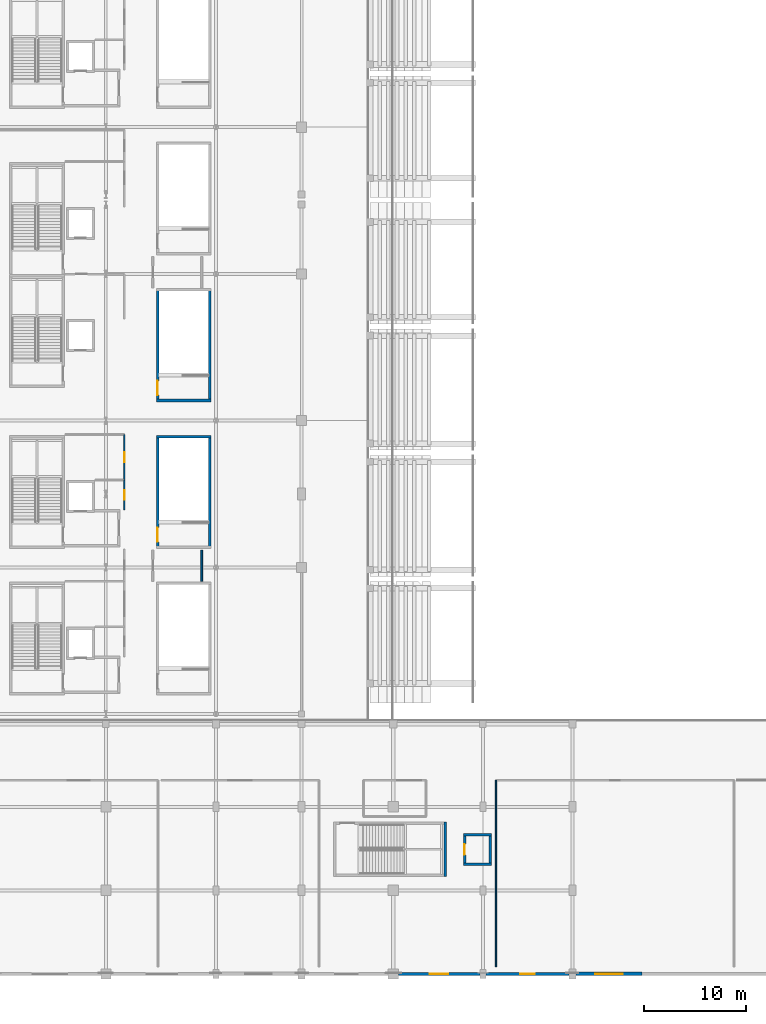
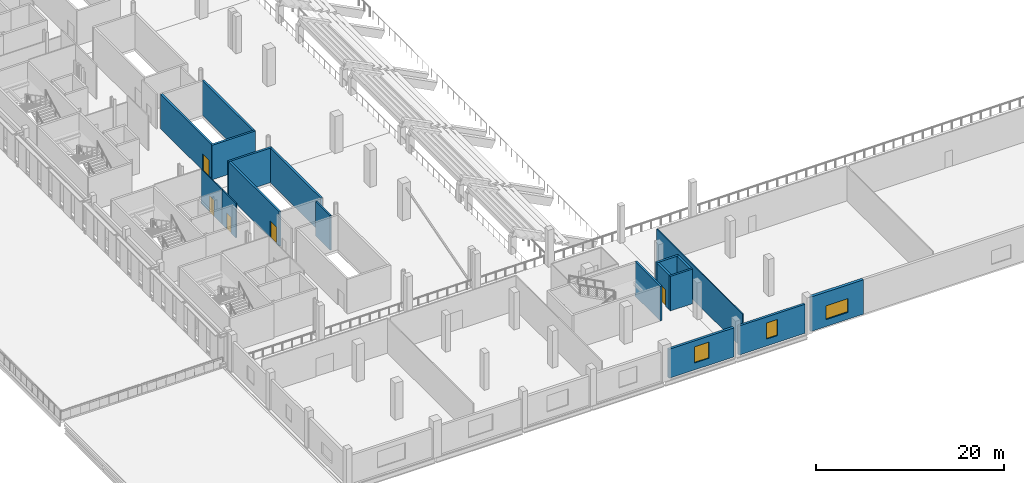
# One storey, part 30 of 74: 18 walls, 5 doors, 3 windows, 8 openings.
"""IFC4 building model written with IfcOpenShell, lengths in metres."""

from ifc_helpers import new_model, si_unit, direction, frame, frame_2d, origin, place, context, subcontext, project, spatial, rectangle, extrude, material, layer, layer_set, type_object, element, fill, save


model = new_model("IFC4")

# Units and contexts
model_context = context("Model", 3, precision=1e-05, world=origin(), true_north=direction((0.0, 1.0)))
body_context = subcontext(model_context, "Body", "Model", "MODEL_VIEW")
ifc_project = project(units=[si_unit("LENGTHUNIT", "METRE"), si_unit("AREAUNIT", "SQUARE_METRE"), si_unit("VOLUMEUNIT", "CUBIC_METRE"), si_unit("PLANEANGLEUNIT", "RADIAN"), si_unit("MASSUNIT", "GRAM", prefix="KILO")], contexts=[model_context])

# Site, building, storey
site_placement = place(None, origin())
site = spatial("IfcSite", under=ifc_project, at=site_placement, CompositionType="ELEMENT")
building_placement = place(site_placement, origin())
building = spatial("IfcBuilding", under=site, at=building_placement, Name="Koshinbarg Plaza Stadium", CompositionType="ELEMENT")
storey_placement = place(building_placement, frame((0.0, 0.0, 15.0)))
storey = spatial("IfcBuildingStorey", under=building, at=storey_placement, Name="L03", CompositionType="ELEMENT", Elevation=15.0)

# Walls
ifc_material_1 = material(Name="Concrete C40/50", Category="concrete")
ifc_layer_1 = layer(ifc_material_1, 0.25)
ifc_layer_set_1 = layer_set([ifc_layer_1], Name="Concrete C40/50")
wall_type_1 = type_object("IfcWallType", Name="WL-CORE-250", PredefinedType="SHEAR", material=ifc_layer_set_1)
for number, where, z_axis, x_axis, name in (
    (1, (68.72509765625, 9.550048828125, 0.0), (0.0, 0.0, 1.0), (0.0, 1.0, 0.0), "L03 core stair shear wall C13-far IWL-L03-0303"),
    (2, (45.719970703125, 52.72509765625, 0.0), (0.0, 0.0, 1.0), (-1.0, 0.0, 0.0), "L03 vomitory stair shear wall VX02-far IWL-L03-0383"),
):
    element("IfcWall", number, at=place(storey_placement, frame(where, z_axis=z_axis, x_axis=x_axis)), inside=storey, type_object=wall_type_1, Name=name, PredefinedType="SHEAR", context=body_context, shape_type="SweptSolid", body=[
        extrude(rectangle(XDim=5.369873046875, YDim=0.25, at=frame_2d((2.68505859375, 0.0))), origin(), (0.0, 0.0, 1.0), 4.5),
    ])

# Wall, opening, door
wall_1_placement = place(storey_placement, frame((40.47509765625, 41.875, 0.0), z_axis=(0.0, 0.0, 1.0), x_axis=(0.0, 1.0, 0.0)))
wall_1 = element("IfcWall", 3, at=wall_1_placement, inside=storey, type_object=wall_type_1, Name="L03 vomitory stair shear wall VX02-left IWL-L03-0384", PredefinedType="SHEAR", context=body_context, shape_type="SweptSolid", body=[
    extrude(rectangle(XDim=10.85009765625, YDim=0.25, at=frame_2d((5.425048828125, 0.0))), origin(), (0.0, 0.0, 1.0), 4.5),
])
opening_1_placement = place(wall_1_placement, frame((0.52001953125, 0.0, 0.0)))
opening_1 = element("IfcOpeningElement", 4, at=opening_1_placement, cuts=wall_1, Name="Opening D-0158", PredefinedType="OPENING", context=body_context, shape_type="SweptSolid", body=[
    extrude(rectangle(XDim=1.39990234375, YDim=2.14990234375, at=frame_2d((0.699951171875, 1.074951171875))), frame((0.0, 0.135009765625, 0.0), z_axis=(0.0, -1.0, 0.0), x_axis=(1.0, 0.0, 0.0)), (0.0, 0.0, 1.0), 0.27001953125),
])
ifc_material_2 = material(Name="Painted galvanized steel fire door", Category="steel")
door_type_1 = type_object("IfcDoorType", Name="DR-STAIR-1400", OperationType="NOTDEFINED", PredefinedType="DOOR", material=ifc_material_2)
door_1_placement = place(opening_1_placement, frame((1.39990234375, 0.0, 0.0), z_axis=(0.0, 0.0, 1.0), x_axis=(-1.0, 0.0, 0.0)))
door_1 = element("IfcDoor", 5, at=door_1_placement, inside=storey, type_object=door_type_1, Name="L03 vomitory exit stair door VX02", OperationType="SINGLE_SWING_RIGHT", OverallHeight=2.14990234375, OverallWidth=1.39990234375, PredefinedType="DOOR", context=body_context, shape_type="SweptSolid", body=[
    extrude(rectangle(XDim=1.39990234375, YDim=2.14990234375, at=frame_2d((0.699951171875, 1.074951171875))), frame((0.0, 0.02490234375, 0.0), z_axis=(0.0, -1.0, 0.0), x_axis=(1.0, 0.0, 0.0)), (0.0, 0.0, 1.0), 0.050048828125),
])
fill(opening_1, door_1)

# Walls
wall_2_placement = place(storey_placement, frame((45.594970703125, 41.875, 0.0), z_axis=(0.0, 0.0, 1.0), x_axis=(0.0, 1.0, 0.0)))
element("IfcWall", 6, at=wall_2_placement, inside=storey, type_object=wall_type_1, Name="L03 vomitory stair shear wall VX02-right IWL-L03-0385", PredefinedType="SHEAR", context=body_context, shape_type="SweptSolid", body=[
    extrude(rectangle(XDim=10.85009765625, YDim=0.25, at=frame_2d((5.425048828125, 0.0))), origin(), (0.0, 0.0, 1.0), 4.5),
])
wall_3_placement = place(storey_placement, frame((40.35009765625, 56.27490234375, 0.0), z_axis=(0.0, 0.0, 1.0), x_axis=(1.0, 0.0, 0.0)))
element("IfcWall", 7, at=wall_3_placement, inside=storey, type_object=wall_type_1, Name="L03 vomitory stair shear wall VX03-near IWL-L03-0398", PredefinedType="SHEAR", context=body_context, shape_type="SweptSolid", body=[
    extrude(rectangle(XDim=5.369873046875, YDim=0.25, at=frame_2d((2.68505859375, 0.0))), origin(), (0.0, 0.0, 1.0), 4.5),
])

# Wall, opening, door
wall_4_placement = place(storey_placement, frame((40.47509765625, 56.27490234375, 0.0), z_axis=(0.0, 0.0, 1.0), x_axis=(0.0, 1.0, 0.0)))
wall_4 = element("IfcWall", 8, at=wall_4_placement, inside=storey, type_object=wall_type_1, Name="L03 vomitory stair shear wall VX03-left IWL-L03-0400", PredefinedType="SHEAR", context=body_context, shape_type="SweptSolid", body=[
    extrude(rectangle(XDim=10.85009765625, YDim=0.25, at=frame_2d((5.425048828125, 0.0))), origin(), (0.0, 0.0, 1.0), 4.5),
])
opening_2_placement = place(wall_4_placement, frame((0.52001953125, 0.0, 0.0)))
opening_2 = element("IfcOpeningElement", 9, at=opening_2_placement, cuts=wall_4, Name="Opening D-0162", PredefinedType="OPENING", context=body_context, shape_type="SweptSolid", body=[
    extrude(rectangle(XDim=1.39990234375, YDim=2.14990234375, at=frame_2d((0.699951171875, 1.074951171875))), frame((0.0, 0.135009765625, 0.0), z_axis=(0.0, -1.0, 0.0), x_axis=(1.0, 0.0, 0.0)), (0.0, 0.0, 1.0), 0.27001953125),
])
door_2_placement = place(opening_2_placement, frame((1.39990234375, 0.0, 0.0), z_axis=(0.0, 0.0, 1.0), x_axis=(-1.0, 0.0, 0.0)))
door_2 = element("IfcDoor", 10, at=door_2_placement, inside=storey, type_object=door_type_1, Name="L03 vomitory exit stair door VX03", OperationType="SINGLE_SWING_LEFT", OverallHeight=2.14990234375, OverallWidth=1.39990234375, PredefinedType="DOOR", context=body_context, shape_type="SweptSolid", body=[
    extrude(rectangle(XDim=1.39990234375, YDim=2.14990234375, at=frame_2d((0.699951171875, 1.074951171875))), frame((0.0, 0.02490234375, 0.0), z_axis=(0.0, -1.0, 0.0), x_axis=(1.0, 0.0, 0.0)), (0.0, 0.0, 1.0), 0.050048828125),
])
fill(opening_2, door_2)

# Walls
wall_5_placement = place(storey_placement, frame((45.594970703125, 56.27490234375, 0.0), z_axis=(0.0, 0.0, 1.0), x_axis=(0.0, 1.0, 0.0)))
element("IfcWall", 11, at=wall_5_placement, inside=storey, type_object=wall_type_1, Name="L03 vomitory stair shear wall VX03-right IWL-L03-0401", PredefinedType="SHEAR", context=body_context, shape_type="SweptSolid", body=[
    extrude(rectangle(XDim=10.85009765625, YDim=0.25, at=frame_2d((5.425048828125, 0.0))), origin(), (0.0, 0.0, 1.0), 4.5),
])
for number, where, z_axis, x_axis, name in (
    (12, (70.47509765625, 10.75, 0.0), (0.0, 0.0, 1.0), (1.0, 0.0, 0.0), "L03 lift shaft shear wall LP09-S IWL-L03-1002"),
    (13, (73.22509765625, 13.64990234375, 0.0), (0.0, 0.0, 1.0), (-1.0, 0.0, 0.0), "L03 lift shaft shear wall LP09-N IWL-L03-1003"),
):
    element("IfcWall", number, at=place(storey_placement, frame(where, z_axis=z_axis, x_axis=x_axis)), inside=storey, type_object=wall_type_1, Name=name, PredefinedType="SHEAR", context=body_context, shape_type="SweptSolid", body=[
        extrude(rectangle(XDim=2.75, YDim=0.25, at=frame_2d((1.375, 0.0))), origin(), (0.0, 0.0, 1.0), 4.5),
    ])

# Wall, opening, door
wall_6_placement = place(storey_placement, frame((70.60009765625, 13.64990234375, 0.0), z_axis=(0.0, 0.0, 1.0), x_axis=(0.0, -1.0, 0.0)))
wall_6 = element("IfcWall", 14, at=wall_6_placement, inside=storey, type_object=wall_type_1, Name="L03 lift shaft shear wall LP09-W IWL-L03-1004", PredefinedType="SHEAR", context=body_context, shape_type="SweptSolid", body=[
    extrude(rectangle(XDim=2.89990234375, YDim=0.25, at=frame_2d((1.449951171875, 0.0))), origin(), (0.0, 0.0, 1.0), 4.5),
])
opening_3_placement = place(wall_6_placement, frame((0.925048828125, 0.0, 0.0)))
opening_3 = element("IfcOpeningElement", 15, at=opening_3_placement, cuts=wall_6, Name="Opening D-0320", PredefinedType="OPENING", context=body_context, shape_type="SweptSolid", body=[
    extrude(rectangle(XDim=1.050048828125, YDim=2.14990234375, at=frame_2d((0.52490234375, 1.074951171875))), frame((0.0, 0.135009765625, 0.0), z_axis=(0.0, -1.0, 0.0), x_axis=(1.0, 0.0, 0.0)), (0.0, 0.0, 1.0), 0.27001953125),
])
ifc_material_3 = material(Name="Brushed stainless steel sliding lift landing door", Category="steel")
door_type_2 = type_object("IfcDoorType", Name="DR-LIFT-1050", OperationType="NOTDEFINED", PredefinedType="DOOR", material=ifc_material_3)
door_3_placement = place(opening_3_placement, origin())
door_3 = element("IfcDoor", 16, at=door_3_placement, inside=storey, type_object=door_type_2, Name="L03 lift landing door LP09", OperationType="SLIDING_TO_RIGHT", OverallHeight=2.14990234375, OverallWidth=1.050048828125, PredefinedType="DOOR", context=body_context, shape_type="SweptSolid", body=[
    extrude(rectangle(XDim=1.050048828125, YDim=2.14990234375, at=frame_2d((0.52490234375, 1.074951171875))), frame((0.0, 0.02490234375, 0.0), z_axis=(0.0, -1.0, 0.0), x_axis=(1.0, 0.0, 0.0)), (0.0, 0.0, 1.0), 0.050048828125),
])
fill(opening_3, door_3)

# Wall
wall_7_placement = place(storey_placement, frame((73.10009765625, 10.75, 0.0), z_axis=(0.0, 0.0, 1.0), x_axis=(0.0, 1.0, 0.0)))
element("IfcWall", 17, at=wall_7_placement, inside=storey, type_object=wall_type_1, Name="L03 lift shaft shear wall LP09-E IWL-L03-1005", PredefinedType="SHEAR", context=body_context, shape_type="SweptSolid", body=[
    extrude(rectangle(XDim=2.89990234375, YDim=0.25, at=frame_2d((1.449951171875, 0.0))), origin(), (0.0, 0.0, 1.0), 4.5),
])

# Wall, opening, window
ifc_material_4 = material(Name="Terracotta-ochre mineral plaster insulated wall", Category="masonry")
ifc_layer_2 = layer(ifc_material_4, 0.280029296875)
ifc_layer_set_2 = layer_set([ifc_layer_2], Name="Terracotta-ochre mineral plaster insulated wall")
wall_type_2 = type_object("IfcWallType", Name="WL-EXT-280", PredefinedType="SOLIDWALL", material=ifc_layer_set_2)
wall_8_placement = place(storey_placement, frame((80.85498046875, 0.0, 0.0), z_axis=(0.0, 0.0, 1.0), x_axis=(-1.0, 0.0, 0.0)))
wall_8 = element("IfcWall", 18, at=wall_8_placement, inside=storey, type_object=wall_type_2, Name="L03 exterior envelope wall EWL-L03-0196", PredefinedType="SOLIDWALL", context=body_context, shape_type="SweptSolid", body=[
    extrude(rectangle(XDim=8.159912109375, YDim=0.280029296875, at=frame_2d((4.080078125, 0.0))), origin(), (0.0, 0.0, 1.0), 3.780029296875),
])
opening_4_placement = place(wall_8_placement, frame((3.3798828125, 0.0, 0.89990234375)))
opening_4 = element("IfcOpeningElement", 19, at=opening_4_placement, cuts=wall_8, Name="Opening WN13", PredefinedType="OPENING", context=body_context, shape_type="SweptSolid", body=[
    extrude(rectangle(XDim=1.39990234375, YDim=2.10009765625, at=frame_2d((0.699951171875, 1.050048828125))), frame((0.0, 0.14990234375, 0.0), z_axis=(0.0, -1.0, 0.0), x_axis=(1.0, 0.0, 0.0)), (0.0, 0.0, 1.0), 0.300048828125),
])
ifc_material_5 = material(Name="Solar-control double glazing in thermally broken aluminium frame", Category="aluminium")
window_type_1 = type_object("IfcWindowType", Name="WN-FAC-13", PartitioningType="DOUBLE_PANEL_VERTICAL", PredefinedType="WINDOW", material=ifc_material_5)
window_1_placement = place(opening_4_placement, origin())
window_1 = element("IfcWindow", 20, at=window_1_placement, inside=storey, type_object=window_type_1, Name="L03 facade window 0129", OverallHeight=2.10009765625, OverallWidth=1.39990234375, PartitioningType="SINGLE_PANEL", PredefinedType="WINDOW", context=body_context, shape_type="SweptSolid", body=[
    extrude(rectangle(XDim=1.39990234375, YDim=2.10009765625, at=frame_2d((0.699951171875, 1.050048828125))), frame((0.0, 0.030029296875, 0.0), z_axis=(0.0, -1.0, 0.0), x_axis=(1.0, 0.0, 0.0)), (0.0, 0.0, 1.0), 0.06005859375),
])
fill(opening_4, window_1)

ifc_material_6 = material(Name="Off-white mineral plaster insulated wall", Category="masonry")
ifc_layer_3 = layer(ifc_material_6, 0.300048828125)
ifc_layer_set_3 = layer_set([ifc_layer_3], Name="Off-white mineral plaster insulated wall")
wall_type_3 = type_object("IfcWallType", Name="WL-EXT-300", PredefinedType="SOLIDWALL", material=ifc_layer_set_3)
wall_9_placement = place(storey_placement, frame((72.10498046875, 0.0, 0.0), z_axis=(0.0, 0.0, 1.0), x_axis=(-1.0, 0.0, 0.0)))
wall_9 = element("IfcWall", 21, at=wall_9_placement, inside=storey, type_object=wall_type_3, Name="L03 exterior envelope wall EWL-L03-0197", PredefinedType="SOLIDWALL", context=body_context, shape_type="SweptSolid", body=[
    extrude(rectangle(XDim=8.010009765625, YDim=0.300048828125, at=frame_2d((4.0048828125, 0.0))), origin(), (0.0, 0.0, 1.0), 3.780029296875),
])
opening_5_placement = place(wall_9_placement, frame((3.10498046875, 0.0, 0.89990234375)))
opening_5 = element("IfcOpeningElement", 22, at=opening_5_placement, cuts=wall_9, Name="Opening WN14", PredefinedType="OPENING", context=body_context, shape_type="SweptSolid", body=[
    extrude(rectangle(XDim=1.800048828125, YDim=2.10009765625, at=frame_2d((0.89990234375, 1.050048828125))), frame((0.0, 0.159912109375, 0.0), z_axis=(0.0, -1.0, 0.0), x_axis=(1.0, 0.0, 0.0)), (0.0, 0.0, 1.0), 0.320068359375),
])
window_type_2 = type_object("IfcWindowType", Name="WN-FAC-14", PartitioningType="DOUBLE_PANEL_VERTICAL", PredefinedType="WINDOW", material=ifc_material_5)
window_2_placement = place(opening_5_placement, origin())
window_2 = element("IfcWindow", 23, at=window_2_placement, inside=storey, type_object=window_type_2, Name="L03 facade window 0130", OverallHeight=2.10009765625, OverallWidth=1.800048828125, PartitioningType="SINGLE_PANEL", PredefinedType="WINDOW", context=body_context, shape_type="SweptSolid", body=[
    extrude(rectangle(XDim=1.800048828125, YDim=2.10009765625, at=frame_2d((0.89990234375, 1.050048828125))), frame((0.0, 0.030029296875, 0.0), z_axis=(0.0, -1.0, 0.0), x_axis=(1.0, 0.0, 0.0)), (0.0, 0.0, 1.0), 0.06005859375),
])
fill(opening_5, window_2)

ifc_material_7 = material(Name="Acoustic insulated masonry stadium wall", Category="masonry")
ifc_layer_4 = layer(ifc_material_7, 0.35009765625)
ifc_layer_set_4 = layer_set([ifc_layer_4], Name="Acoustic insulated masonry stadium wall")
wall_type_4 = type_object("IfcWallType", Name="WL-EXT-350", PredefinedType="SOLIDWALL", material=ifc_layer_set_4)
wall_10_placement = place(storey_placement, frame((88.0, 0.0, 0.0), z_axis=(0.0, 0.0, 1.0), x_axis=(-1.0, 0.0, 0.0)))
wall_10 = element("IfcWall", 24, at=wall_10_placement, inside=storey, type_object=wall_type_4, Name="L03 exterior envelope wall EWL-L03-0195", PredefinedType="SOLIDWALL", context=body_context, shape_type="SweptSolid", body=[
    extrude(rectangle(XDim=6.455078125, YDim=0.35009765625, at=frame_2d((3.2275390625, 0.0))), origin(), (0.0, 0.0, 1.0), 4.47998046875),
])
opening_6_placement = place(wall_10_placement, frame((1.87744140625, 0.0, 0.89990234375)))
opening_6 = element("IfcOpeningElement", 25, at=opening_6_placement, cuts=wall_10, Name="Opening WN12", PredefinedType="OPENING", context=body_context, shape_type="SweptSolid", body=[
    extrude(rectangle(XDim=2.699951171875, YDim=1.800048828125, at=frame_2d((1.35009765625, 0.89990234375))), frame((0.0, 0.18505859375, 0.0), z_axis=(0.0, -1.0, 0.0), x_axis=(1.0, 0.0, 0.0)), (0.0, 0.0, 1.0), 0.3701171875),
])
window_type_3 = type_object("IfcWindowType", Name="WN-FAC-12", PartitioningType="DOUBLE_PANEL_VERTICAL", PredefinedType="WINDOW", material=ifc_material_5)
window_3_placement = place(opening_6_placement, origin())
window_3 = element("IfcWindow", 26, at=window_3_placement, inside=storey, type_object=window_type_3, Name="L03 facade window 0128", OverallHeight=1.800048828125, OverallWidth=2.699951171875, PartitioningType="SINGLE_PANEL", PredefinedType="WINDOW", context=body_context, shape_type="SweptSolid", body=[
    extrude(rectangle(XDim=2.699951171875, YDim=1.800048828125, at=frame_2d((1.35009765625, 0.89990234375))), frame((0.0, 0.030029296875, 0.0), z_axis=(0.0, -1.0, 0.0), x_axis=(1.0, 0.0, 0.0)), (0.0, 0.0, 1.0), 0.06005859375),
])
fill(opening_6, window_3)

# Wall, opening, door
ifc_material_8 = material(Name="Gypsum board metal-stud acoustic partition")
ifc_layer_5 = layer(ifc_material_8, 0.1201171875)
ifc_layer_set_5 = layer_set([ifc_layer_5], Name="Gypsum board metal-stud acoustic partition")
wall_type_5 = type_object("IfcWallType", Name="WL-PART-120", PredefinedType="PARTITIONING", material=ifc_layer_set_5)
wall_11_placement = place(storey_placement, frame((37.199951171875, 48.47998046875, 0.0), z_axis=(0.0, 0.0, 1.0), x_axis=(0.0, 1.0, 0.0)))
wall_11 = element("IfcWall", 27, at=wall_11_placement, inside=storey, type_object=wall_type_5, Name="L03 interior partition L03-68-east IWL-L03-1932", PredefinedType="PARTITIONING", context=body_context, shape_type="SweptSolid", body=[
    extrude(rectangle(XDim=4.449951171875, YDim=0.1201171875, at=frame_2d((2.22509765625, 0.0))), origin(), (0.0, 0.0, 1.0), 4.5),
])
opening_7_placement = place(wall_11_placement, frame((1.7451171875, 0.0, 0.0)))
opening_7 = element("IfcOpeningElement", 28, at=opening_7_placement, cuts=wall_11, Name="Opening D-0658", PredefinedType="OPENING", context=body_context, shape_type="SweptSolid", body=[
    extrude(rectangle(XDim=0.9599609375, YDim=2.10009765625, at=frame_2d((0.47998046875, 1.050048828125))), frame((0.0, 0.070068359375, 0.0), z_axis=(0.0, -1.0, 0.0), x_axis=(1.0, 0.0, 0.0)), (0.0, 0.0, 1.0), 0.14013671875),
])
ifc_material_9 = material(Name="Solid-core oak veneer acoustic door")
door_type_3 = type_object("IfcDoorType", Name="DR-INT-0960x2100", OperationType="NOTDEFINED", PredefinedType="DOOR", material=ifc_material_9)
door_4_placement = place(opening_7_placement, origin())
door_4 = element("IfcDoor", 29, at=door_4_placement, inside=storey, type_object=door_type_3, Name="L03 West Family Cafe Hall door D-0658", OperationType="SINGLE_SWING_RIGHT", OverallHeight=2.10009765625, OverallWidth=0.9599609375, PredefinedType="DOOR", context=body_context, shape_type="SweptSolid", body=[
    extrude(rectangle(XDim=0.9599609375, YDim=2.10009765625, at=frame_2d((0.47998046875, 1.050048828125))), frame((0.0, 0.02490234375, 0.0), z_axis=(0.0, -1.0, 0.0), x_axis=(1.0, 0.0, 0.0)), (0.0, 0.0, 1.0), 0.050048828125),
])
fill(opening_7, door_4)

wall_12_placement = place(storey_placement, frame((37.199951171875, 45.530029296875, 0.0), z_axis=(0.0, 0.0, 1.0), x_axis=(0.0, 1.0, 0.0)))
wall_12 = element("IfcWall", 30, at=wall_12_placement, inside=storey, type_object=wall_type_5, Name="L03 interior partition L03-69-east IWL-L03-1934", PredefinedType="PARTITIONING", context=body_context, shape_type="SweptSolid", body=[
    extrude(rectangle(XDim=2.949951171875, YDim=0.1201171875, at=frame_2d((1.47509765625, 0.0))), origin(), (0.0, 0.0, 1.0), 4.5),
])
opening_8_placement = place(wall_12_placement, frame((1.014892578125, 0.0, 0.0)))
opening_8 = element("IfcOpeningElement", 31, at=opening_8_placement, cuts=wall_12, Name="Opening D-0659", PredefinedType="OPENING", context=body_context, shape_type="SweptSolid", body=[
    extrude(rectangle(XDim=0.919921875, YDim=2.10009765625, at=frame_2d((0.4599609375, 1.050048828125))), frame((0.0, 0.070068359375, 0.0), z_axis=(0.0, -1.0, 0.0), x_axis=(1.0, 0.0, 0.0)), (0.0, 0.0, 1.0), 0.14013671875),
])
door_type_4 = type_object("IfcDoorType", Name="DR-INT-0920x2100", OperationType="NOTDEFINED", PredefinedType="DOOR", material=ifc_material_9)
door_5_placement = place(opening_8_placement, origin())
door_5 = element("IfcDoor", 32, at=door_5_placement, inside=storey, type_object=door_type_4, Name="L03 Supporters' Viewing Salon door D-0659", OperationType="SINGLE_SWING_LEFT", OverallHeight=2.10009765625, OverallWidth=0.919921875, PredefinedType="DOOR", context=body_context, shape_type="SweptSolid", body=[
    extrude(rectangle(XDim=0.919921875, YDim=2.10009765625, at=frame_2d((0.4599609375, 1.050048828125))), frame((0.0, 0.02490234375, 0.0), z_axis=(0.0, -1.0, 0.0), x_axis=(1.0, 0.0, 0.0)), (0.0, 0.0, 1.0), 0.050048828125),
])
fill(opening_8, door_5)

# Walls
wall_13_placement = place(storey_placement, frame((73.679931640625, 19.0, 0.0), z_axis=(0.0, 0.0, 1.0), x_axis=(0.0, -1.0, 0.0)))
element("IfcWall", 33, at=wall_13_placement, inside=storey, type_object=wall_type_5, Name="L03 interior partition L03-118-west IWL-L03-2062", PredefinedType="PARTITIONING", context=body_context, shape_type="SweptSolid", body=[
    extrude(rectangle(XDim=18.300048828125, YDim=0.1201171875, at=frame_2d((9.14990234375, 0.0))), origin(), (0.0, 0.0, 1.0), 4.5),
])
ifc_material_10 = material(Name="Moisture-resistant tiled sanitary partition")
ifc_layer_6 = layer(ifc_material_10, 0.179931640625)
ifc_layer_set_6 = layer_set([ifc_layer_6], Name="Moisture-resistant tiled sanitary partition")
wall_type_6 = type_object("IfcWallType", Name="WL-PART-180", PredefinedType="PARTITIONING", material=ifc_layer_set_6)
wall_14_placement = place(storey_placement, frame((44.800048828125, 38.530029296875, 0.0), z_axis=(0.0, 0.0, 1.0), x_axis=(0.0, 1.0, 0.0)))
element("IfcWall", 34, at=wall_14_placement, inside=storey, type_object=wall_type_6, Name="L03 interior partition L03-57-east IWL-L03-1919", PredefinedType="PARTITIONING", context=body_context, shape_type="SweptSolid", body=[
    extrude(rectangle(XDim=3.070068359375, YDim=0.179931640625, at=frame_2d((1.53515625, 0.0))), origin(), (0.0, 0.0, 1.0), 4.5),
])

save(model, "model.ifc")
